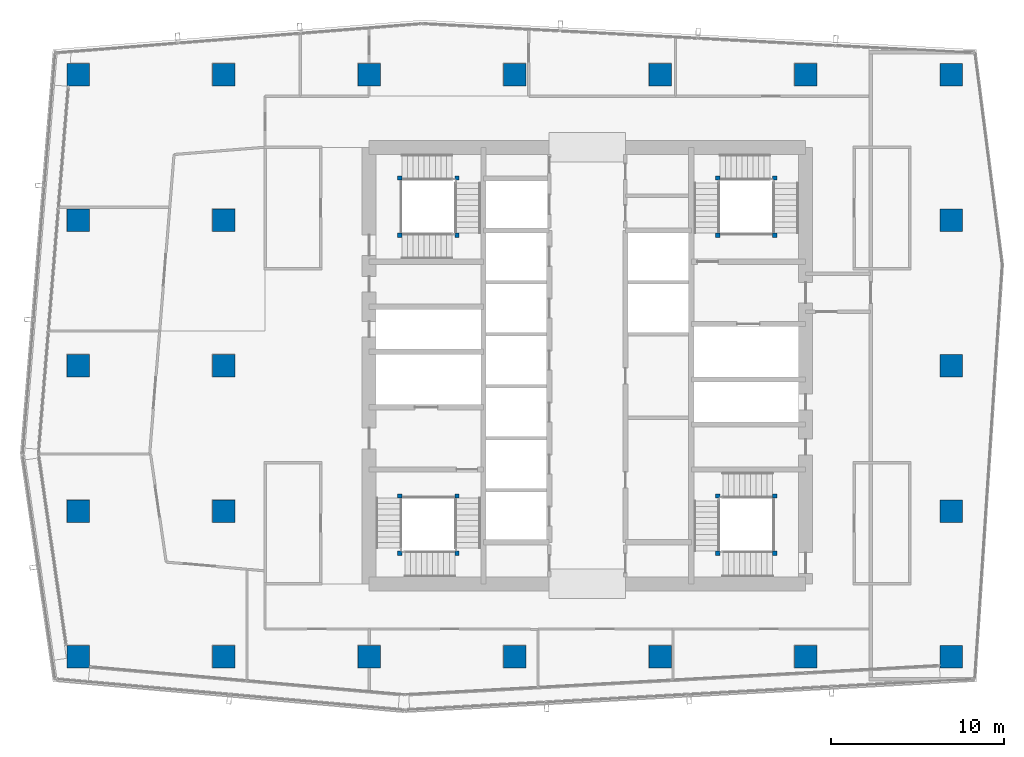
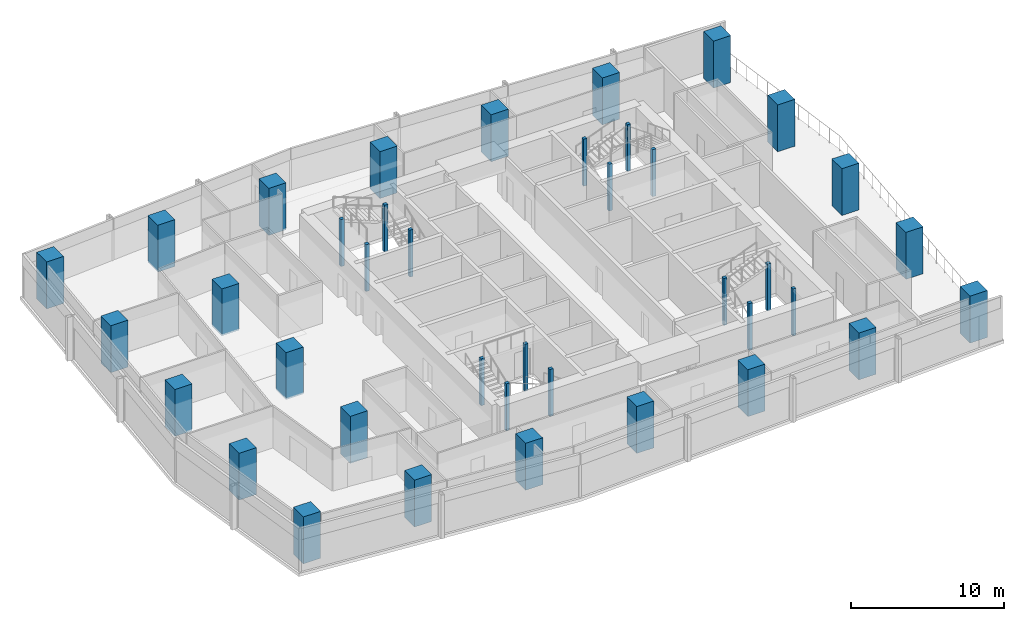
# One storey, part 1 of 26: 39 columns.
"""IFC4 building model written with IfcOpenShell, lengths in metres."""

from ifc_helpers import new_model, si_unit, direction, frame, origin, origin_2d, place, context, subcontext, project, spatial, rectangle, extrude, material, material_profile, profile_set, type_object, element, save


model = new_model("IFC4")

# Units and contexts
model_context = context("Model", 3, precision=1e-05, world=origin(), true_north=direction((0.0, 1.0)))
body_context = subcontext(model_context, "Body", "Model", "MODEL_VIEW")
ifc_project = project(units=[si_unit("LENGTHUNIT", "METRE"), si_unit("AREAUNIT", "SQUARE_METRE"), si_unit("VOLUMEUNIT", "CUBIC_METRE"), si_unit("PLANEANGLEUNIT", "RADIAN"), si_unit("MASSUNIT", "GRAM", prefix="KILO")], contexts=[model_context])

# Site, building, storey
site_placement = place(None, origin())
site = spatial("IfcSite", under=ifc_project, at=site_placement, CompositionType="ELEMENT")
building_placement = place(site_placement, origin())
building = spatial("IfcBuilding", under=site, at=building_placement, Name="Rekha Terrace Tower", CompositionType="ELEMENT")
storey_placement = place(building_placement, frame((0.0, 0.0, 283.85009765625)))
storey = spatial("IfcBuildingStorey", under=building, at=storey_placement, Name="L72", CompositionType="ELEMENT", Elevation=283.85009765625)

# Columns
ifc_material_1 = material(Name="Concrete M70", Category="concrete")
ifc_material_profile_1 = material_profile(ifc_material_1, rectangle(XDim=1.300048828125, YDim=1.300048828125, at=origin_2d()), Name="RC 1300x1300")
ifc_profile_set_1 = profile_set([ifc_material_profile_1], Name="Concrete M70")
column_type_1 = type_object("IfcColumnType", Name="C5C 1300x1300 column", PredefinedType="COLUMN", material=ifc_profile_set_1)
for number, where, z_axis, x_axis, name in (
    (1, (8.39990234375, 16.800048828125, 0.0), (0.0, 0.0, 1.0), (1.0, 0.0, 0.0), "Column C5C 2/C L72"),
    (2, (8.39990234375, 25.199951171875, 0.0), (0.0, 0.0, 1.0), (1.0, 0.0, 0.0), "Column C5C 2/D L72"),
    (3, (8.39990234375, 33.60009765625, 0.0), (0.0, 0.0, 1.0), (1.0, 0.0, 0.0), "Column C5C 2/E L72"),
    (4, (8.39990234375, 42.0, 0.0), (0.0, 0.0, 1.0), (1.0, 0.0, 0.0), "Column C5C 2/F L72"),
    (5, (8.39990234375, 50.39990234375, 0.0), (0.0, 0.0, 1.0), (1.0, 0.0, 0.0), "Column C5C 2/G L72"),
    (6, (16.800048828125, 16.800048828125, 0.0), (0.0, 0.0, 1.0), (1.0, 0.0, 0.0), "Column C5C 3/C L72"),
    (7, (16.800048828125, 25.199951171875, 0.0), (0.0, 0.0, 1.0), (1.0, 0.0, 0.0), "Column C5C 3/D L72"),
    (8, (16.800048828125, 33.60009765625, 0.0), (0.0, 0.0, 1.0), (1.0, 0.0, 0.0), "Column C5C 3/E L72"),
    (9, (16.800048828125, 42.0, 0.0), (0.0, 0.0, 1.0), (1.0, 0.0, 0.0), "Column C5C 3/F L72"),
    (10, (16.800048828125, 50.39990234375, 0.0), (0.0, 0.0, 1.0), (1.0, 0.0, 0.0), "Column C5C 3/G L72"),
    (11, (25.199951171875, 16.800048828125, 0.0), (0.0, 0.0, 1.0), (1.0, 0.0, 0.0), "Column C5C 4/C L72"),
    (12, (25.199951171875, 50.39990234375, 0.0), (0.0, 0.0, 1.0), (1.0, 0.0, 0.0), "Column C5C 4/G L72"),
    (13, (33.60009765625, 16.800048828125, 0.0), (0.0, 0.0, 1.0), (1.0, 0.0, 0.0), "Column C5C 5/C L72"),
    (14, (33.60009765625, 50.39990234375, 0.0), (0.0, 0.0, 1.0), (1.0, 0.0, 0.0), "Column C5C 5/G L72"),
    (15, (42.0, 16.800048828125, 0.0), (0.0, 0.0, 1.0), (1.0, 0.0, 0.0), "Column C5C 6/C L72"),
    (16, (42.0, 50.39990234375, 0.0), (0.0, 0.0, 1.0), (1.0, 0.0, 0.0), "Column C5C 6/G L72"),
    (17, (50.39990234375, 16.800048828125, 0.0), (0.0, 0.0, 1.0), (1.0, 0.0, 0.0), "Column C5C 7/C L72"),
    (18, (50.39990234375, 50.39990234375, 0.0), (0.0, 0.0, 1.0), (1.0, 0.0, 0.0), "Column C5C 7/G L72"),
    (19, (58.800048828125, 16.800048828125, 0.0), (0.0, 0.0, 1.0), (1.0, 0.0, 0.0), "Column C5C 8/C L72"),
    (20, (58.800048828125, 25.199951171875, 0.0), (0.0, 0.0, 1.0), (1.0, 0.0, 0.0), "Column C5C 8/D L72"),
    (21, (58.800048828125, 33.60009765625, 0.0), (0.0, 0.0, 1.0), (1.0, 0.0, 0.0), "Column C5C 8/E L72"),
    (22, (58.800048828125, 42.0, 0.0), (0.0, 0.0, 1.0), (1.0, 0.0, 0.0), "Column C5C 8/F L72"),
    (23, (58.800048828125, 50.39990234375, 0.0), (0.0, 0.0, 1.0), (1.0, 0.0, 0.0), "Column C5C 8/G L72"),
):
    element("IfcColumn", number, at=place(storey_placement, frame(where, z_axis=z_axis, x_axis=x_axis)), inside=storey, type_object=column_type_1, Name=name, PredefinedType="COLUMN", context=body_context, shape_type="SweptSolid", body=[
        extrude(rectangle(XDim=1.300048828125, YDim=1.300048828125, at=origin_2d()), origin(), (0.0, 0.0, 1.0), 3.75),
    ])
ifc_material_2 = material(Name="Concrete M60", Category="concrete")
ifc_material_profile_2 = material_profile(ifc_material_2, rectangle(XDim=0.25, YDim=0.25, at=origin_2d()), Name="RC 250x250")
ifc_profile_set_2 = profile_set([ifc_material_profile_2], Name="Concrete M60")
column_type_2 = type_object("IfcColumnType", Name="NP1 250x250 stair newel post", PredefinedType="COLUMN", material=ifc_profile_set_2)
for number, where, z_axis, x_axis, name in (
    (24, (30.27490234375, 26.074951171875, 0.0), (0.0, 0.0, 1.0), (1.0, 0.0, 0.0), "Stair newel post NP1"),
    (25, (30.27490234375, 22.77490234375, 0.0), (0.0, 0.0, 1.0), (1.0, 0.0, 0.0), "Stair newel post NP1"),
    (26, (26.97509765625, 22.77490234375, 0.0), (0.0, 0.0, 1.0), (1.0, 0.0, 0.0), "Stair newel post NP1"),
    (27, (26.97509765625, 26.074951171875, 0.0), (0.0, 0.0, 1.0), (1.0, 0.0, 0.0), "Stair newel post NP1"),
    (28, (45.324951171875, 41.125, 0.0), (0.0, 0.0, 1.0), (1.0, 0.0, 0.0), "Stair newel post NP1"),
    (29, (45.324951171875, 44.425048828125, 0.0), (0.0, 0.0, 1.0), (1.0, 0.0, 0.0), "Stair newel post NP1"),
    (30, (48.625, 44.425048828125, 0.0), (0.0, 0.0, 1.0), (1.0, 0.0, 0.0), "Stair newel post NP1"),
    (31, (48.625, 41.125, 0.0), (0.0, 0.0, 1.0), (1.0, 0.0, 0.0), "Stair newel post NP1"),
    (32, (48.625, 22.77490234375, 0.0), (0.0, 0.0, 1.0), (1.0, 0.0, 0.0), "Stair newel post NP1"),
    (33, (45.324951171875, 22.77490234375, 0.0), (0.0, 0.0, 1.0), (1.0, 0.0, 0.0), "Stair newel post NP1"),
    (34, (45.324951171875, 26.074951171875, 0.0), (0.0, 0.0, 1.0), (1.0, 0.0, 0.0), "Stair newel post NP1"),
    (35, (48.625, 26.074951171875, 0.0), (0.0, 0.0, 1.0), (1.0, 0.0, 0.0), "Stair newel post NP1"),
    (36, (26.97509765625, 41.125, 0.0), (0.0, 0.0, 1.0), (1.0, 0.0, 0.0), "Stair newel post NP1"),
    (37, (30.27490234375, 41.125, 0.0), (0.0, 0.0, 1.0), (1.0, 0.0, 0.0), "Stair newel post NP1"),
    (38, (30.27490234375, 44.425048828125, 0.0), (0.0, 0.0, 1.0), (1.0, 0.0, 0.0), "Stair newel post NP1"),
    (39, (26.97509765625, 44.425048828125, 0.0), (0.0, 0.0, 1.0), (1.0, 0.0, 0.0), "Stair newel post NP1"),
):
    element("IfcColumn", number, at=place(storey_placement, frame(where, z_axis=z_axis, x_axis=x_axis)), inside=storey, type_object=column_type_2, Name=name, PredefinedType="COLUMN", context=body_context, shape_type="SweptSolid", body=[
        extrude(rectangle(XDim=0.25, YDim=0.25, at=origin_2d()), origin(), (0.0, 0.0, 1.0), 3.75),
    ])

save(model, "model.ifc")
